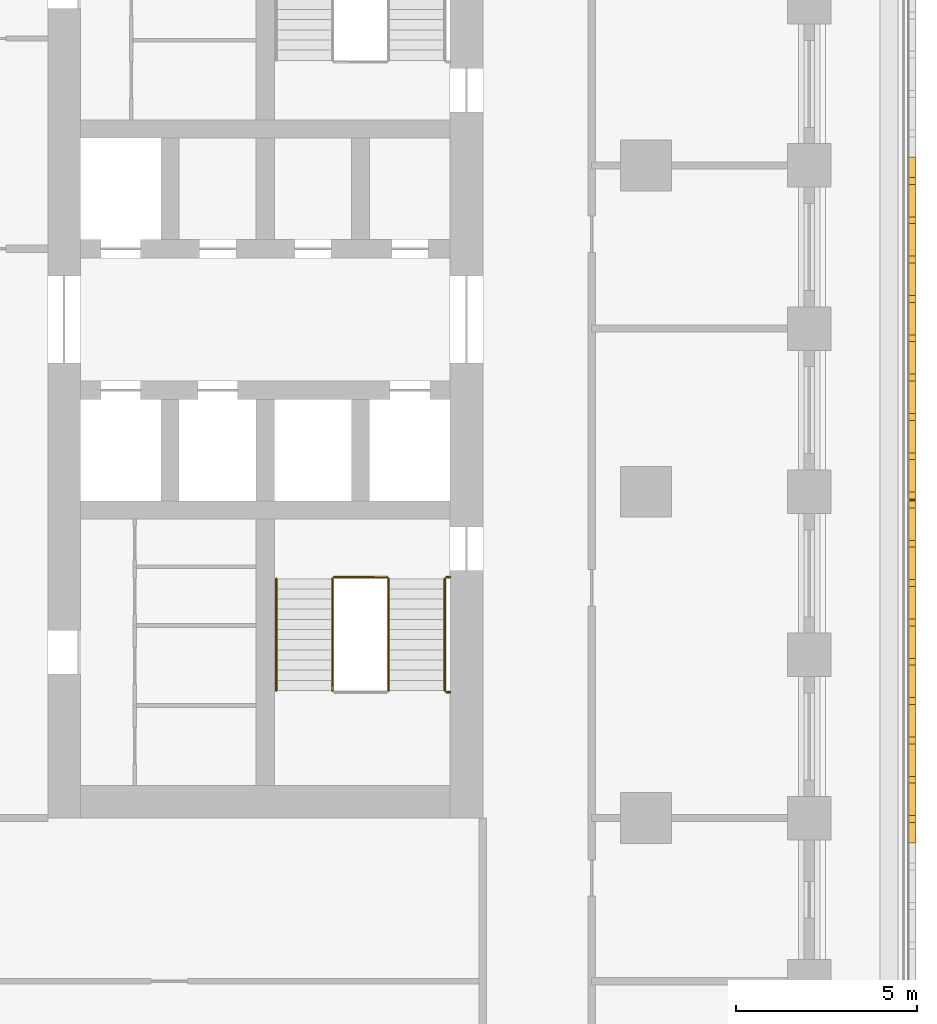
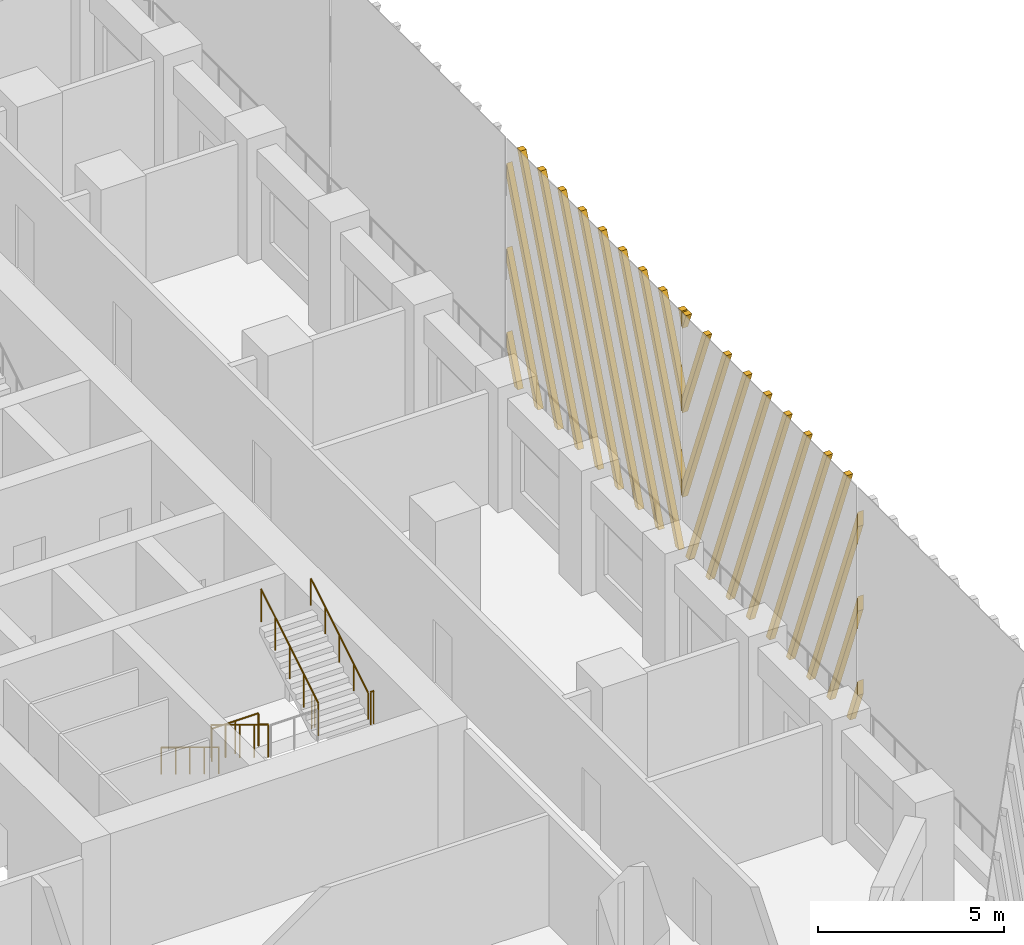
# One storey, part 13 of 19: 7 railings, 2 shading devices.
"""IFC4 building model written with IfcOpenShell, lengths in metres."""

from ifc_helpers import new_model, si_unit, direction, frame, origin, origin_2d, place, context, subcontext, project, spatial, polyline, circle, outline, extrude, source, transform, mapped, material, type_object, element, save


model = new_model("IFC4")

# Units and contexts
model_context = context("Model", 3, precision=1e-05, world=origin(), true_north=direction((0.0, 1.0)))
body_context = subcontext(model_context, "Body", "Model", "MODEL_VIEW")
ifc_project = project(units=[si_unit("LENGTHUNIT", "METRE"), si_unit("AREAUNIT", "SQUARE_METRE"), si_unit("VOLUMEUNIT", "CUBIC_METRE"), si_unit("PLANEANGLEUNIT", "RADIAN"), si_unit("MASSUNIT", "GRAM", prefix="KILO")], contexts=[model_context])

# Site, building, storey
site_placement = place(None, origin())
site = spatial("IfcSite", under=ifc_project, at=site_placement, CompositionType="ELEMENT")
building_placement = place(site_placement, origin())
building = spatial("IfcBuilding", under=site, at=building_placement, Name="Corbel Stack Research Tower", CompositionType="ELEMENT")
storey_placement = place(building_placement, frame((0.0, 0.0, 133.10009765625)))
storey = spatial("IfcBuildingStorey", under=building, at=storey_placement, Name="L30", CompositionType="ELEMENT", Elevation=133.10009765625)

# Railings
ifc_material_1 = material(Name="Steel S355", Category="steel")
railing_type_1 = type_object("IfcRailingType", Name="Stair guard 1100", PredefinedType="GUARDRAIL", material=ifc_material_1)
railing_1_placement = place(storey_placement, frame((13.85009765625, -2.39990234375, 0.170654296875)))
element("IfcRailing", 1, at=railing_1_placement, inside=storey, type_object=railing_type_1, Name="L30 ST-E1 stair guard 1", PredefinedType="GUARDRAIL", context=body_context, shape_type="SweptSolid", body=[
    extrude(circle(Radius=0.02392578125, at=origin_2d()), frame((0.0, 0.0, 1.076171875), z_axis=(0.0, -0.853666305674, 0.52082035152), x_axis=(1.0, 0.0, 0.0)), (0.0, 0.0, 1.0), 3.608154296875),
    extrude(circle(Radius=0.02099609375, at=origin_2d()), origin(), (0.0, 0.0, 1.0), 1.052001953125),
    extrude(circle(Radius=0.02099609375, at=origin_2d()), frame((0.0, -0.77001953125, 0.4697265625)), (0.0, 0.0, 1.0), 1.052001953125),
    extrude(circle(Radius=0.02099609375, at=origin_2d()), frame((0.0, -1.5400390625, 0.939453125)), (0.0, 0.0, 1.0), 1.052001953125),
    extrude(circle(Radius=0.02099609375, at=origin_2d()), frame((0.0, -2.31005859375, 1.409423828125)), (0.0, 0.0, 1.0), 1.052001953125),
    extrude(circle(Radius=0.02099609375, at=origin_2d()), frame((0.0, -3.080078125, 1.879150390625)), (0.0, 0.0, 1.0), 1.052001953125),
])
railing_2_placement = place(storey_placement, frame((17.0, -5.530029296875, 2.0498046875)))
element("IfcRailing", 2, at=railing_2_placement, inside=storey, type_object=railing_type_1, Name="L30 ST-E1 stair guard 3", PredefinedType="GUARDRAIL", context=body_context, shape_type="SweptSolid", body=[
    extrude(circle(Radius=0.02392578125, at=origin_2d()), frame((0.0, 0.0, 1.076171875), z_axis=(1.0, 0.0, 0.0), x_axis=(0.0, 1.0, 0.0)), (0.0, 0.0, 1.0), 0.10009765625),
    extrude(circle(Radius=0.02099609375, at=origin_2d()), origin(), (0.0, 0.0, 1.0), 1.052001953125),
    extrude(circle(Radius=0.02099609375, at=origin_2d()), frame((0.10009765625, 0.0, 0.0)), (0.0, 0.0, 1.0), 1.052001953125),
])
railing_3_placement = place(storey_placement, frame((15.39990234375, -5.47998046875, 2.220703125)))
element("IfcRailing", 3, at=railing_3_placement, inside=storey, type_object=railing_type_1, Name="L30 ST-E1 stair guard 4", PredefinedType="GUARDRAIL", context=body_context, shape_type="SweptSolid", body=[
    extrude(circle(Radius=0.02392578125, at=origin_2d()), frame((0.0, 0.0, 1.076171875), z_axis=(0.0, 0.853666305674, 0.52082035152), x_axis=(-1.0, 0.0, 0.0)), (0.0, 0.0, 1.0), 3.608154296875),
    extrude(circle(Radius=0.02099609375, at=origin_2d()), origin(), (0.0, 0.0, 1.0), 1.052001953125),
    extrude(circle(Radius=0.02099609375, at=origin_2d()), frame((0.0, 0.77001953125, 0.4697265625)), (0.0, 0.0, 1.0), 1.052001953125),
    extrude(circle(Radius=0.02099609375, at=origin_2d()), frame((0.0, 1.5400390625, 0.939453125)), (0.0, 0.0, 1.0), 1.052001953125),
    extrude(circle(Radius=0.02099609375, at=origin_2d()), frame((0.0, 2.31005859375, 1.409423828125)), (0.0, 0.0, 1.0), 1.052001953125),
    extrude(circle(Radius=0.02099609375, at=origin_2d()), frame((0.0, 3.080078125, 1.879150390625)), (0.0, 0.0, 1.0), 1.052001953125),
])
railing_4_placement = place(storey_placement, frame((13.89990234375, -2.35009765625, 0.0)))
element("IfcRailing", 4, at=railing_4_placement, inside=storey, type_object=railing_type_1, Name="L30 ST-E1 stair guard 5", PredefinedType="GUARDRAIL", context=body_context, shape_type="SweptSolid", body=[
    extrude(circle(Radius=0.02392578125, at=origin_2d()), frame((0.0, 0.0, 1.076171875), z_axis=(1.0, 0.0, 0.0), x_axis=(0.0, 1.0, 0.0)), (0.0, 0.0, 1.0), 1.4501953125),
    extrude(circle(Radius=0.02099609375, at=origin_2d()), origin(), (0.0, 0.0, 1.0), 1.052001953125),
    extrude(circle(Radius=0.02099609375, at=origin_2d()), frame((0.72509765625, 0.0, 0.0)), (0.0, 0.0, 1.0), 1.052001953125),
    extrude(circle(Radius=0.02099609375, at=origin_2d()), frame((1.4501953125, 0.0, 0.0)), (0.0, 0.0, 1.0), 1.052001953125),
])
railing_5_placement = place(storey_placement, frame((17.0, -2.35009765625, 0.0)))
element("IfcRailing", 5, at=railing_5_placement, inside=storey, type_object=railing_type_1, Name="L30 ST-E1 stair guard 6", PredefinedType="GUARDRAIL", context=body_context, shape_type="SweptSolid", body=[
    extrude(circle(Radius=0.02392578125, at=origin_2d()), frame((0.0, 0.0, 1.076171875), z_axis=(1.0, 0.0, 0.0), x_axis=(0.0, 1.0, 0.0)), (0.0, 0.0, 1.0), 0.10009765625),
    extrude(circle(Radius=0.02099609375, at=origin_2d()), origin(), (0.0, 0.0, 1.0), 1.052001953125),
    extrude(circle(Radius=0.02099609375, at=origin_2d()), frame((0.10009765625, 0.0, 0.0)), (0.0, 0.0, 1.0), 1.052001953125),
])
ifc_material_2 = material(Name="Steel S355", Category="steel")
railing_type_2 = type_object("IfcRailingType", Name="Stair handrail 900", PredefinedType="HANDRAIL", material=ifc_material_2)
railing_6_placement = place(storey_placement, frame((12.300048828125, -2.39990234375, 0.170654296875)))
element("IfcRailing", 6, at=railing_6_placement, inside=storey, type_object=railing_type_2, Name="L30 ST-E1 stair handrail 1", PredefinedType="HANDRAIL", context=body_context, shape_type="SweptSolid", body=[
    extrude(circle(Radius=0.02392578125, at=origin_2d()), frame((0.0, 0.0, 0.8759765625), z_axis=(0.0, -0.853666305674, 0.52082035152), x_axis=(1.0, 0.0, 0.0)), (0.0, 0.0, 1.0), 3.608154296875),
    extrude(circle(Radius=0.02099609375, at=origin_2d()), origin(), (0.0, 0.0, 1.0), 0.851806640625),
    extrude(circle(Radius=0.02099609375, at=origin_2d()), frame((0.0, -0.77001953125, 0.4697265625)), (0.0, 0.0, 1.0), 0.851806640625),
    extrude(circle(Radius=0.02099609375, at=origin_2d()), frame((0.0, -1.5400390625, 0.939453125)), (0.0, 0.0, 1.0), 0.851806640625),
    extrude(circle(Radius=0.02099609375, at=origin_2d()), frame((0.0, -2.31005859375, 1.409423828125)), (0.0, 0.0, 1.0), 0.851806640625),
    extrude(circle(Radius=0.02099609375, at=origin_2d()), frame((0.0, -3.080078125, 1.879150390625)), (0.0, 0.0, 1.0), 0.851806640625),
])
railing_7_placement = place(storey_placement, frame((16.949951171875, -5.47998046875, 2.220703125)))
element("IfcRailing", 7, at=railing_7_placement, inside=storey, type_object=railing_type_2, Name="L30 ST-E1 stair handrail 2", PredefinedType="HANDRAIL", context=body_context, shape_type="SweptSolid", body=[
    extrude(circle(Radius=0.02392578125, at=origin_2d()), frame((0.0, 0.0, 0.8759765625), z_axis=(0.0, 0.853666305674, 0.52082035152), x_axis=(-1.0, 0.0, 0.0)), (0.0, 0.0, 1.0), 3.608154296875),
    extrude(circle(Radius=0.02099609375, at=origin_2d()), origin(), (0.0, 0.0, 1.0), 0.851806640625),
    extrude(circle(Radius=0.02099609375, at=origin_2d()), frame((0.0, 0.77001953125, 0.4697265625)), (0.0, 0.0, 1.0), 0.851806640625),
    extrude(circle(Radius=0.02099609375, at=origin_2d()), frame((0.0, 1.5400390625, 0.939453125)), (0.0, 0.0, 1.0), 0.851806640625),
    extrude(circle(Radius=0.02099609375, at=origin_2d()), frame((0.0, 2.31005859375, 1.409423828125)), (0.0, 0.0, 1.0), 0.851806640625),
    extrude(circle(Radius=0.02099609375, at=origin_2d()), frame((0.0, 3.080078125, 1.879150390625)), (0.0, 0.0, 1.0), 0.851806640625),
])

# Shading devices
ifc_material_3 = material(Name="Precast terracotta", Category="masonry")
shading_device_type = type_object("IfcShadingDeviceType", Name="Terracotta screen panel", PredefinedType="USERDEFINED", material=ifc_material_3)
shared_shape_1 = source(origin(), body_context, "Body", "SweptSolid", [
    extrude(outline(polyline([(0.217041015625, 7.949951171875), (0.027099609375, 7.949951171875), (0.0, 7.880859375), (0.0, 7.394287109375), (0.217041015625, 7.949951171875)])), frame((0.0, 0.0, 0.0), z_axis=(0.0, -1.0, 0.0), x_axis=(1.0, 0.0, 0.0)), (0.0, 0.0, 1.0), 0.179931640625),
    extrude(outline(polyline([(1.3017578125, 7.949951171875), (1.11181640625, 7.949951171875), (0.0, 5.103515625), (0.0, 4.616943359375), (1.3017578125, 7.949951171875)])), frame((0.0, 0.0, 0.0), z_axis=(0.0, -1.0, 0.0), x_axis=(1.0, 0.0, 0.0)), (0.0, 0.0, 1.0), 0.179931640625),
    extrude(outline(polyline([(2.386474609375, 7.949951171875), (2.1962890625, 7.949951171875), (0.0, 2.326171875), (0.0, 1.839599609375), (2.386474609375, 7.949951171875)])), frame((0.0, 0.0, 0.0), z_axis=(0.0, -1.0, 0.0), x_axis=(1.0, 0.0, 0.0)), (0.0, 0.0, 1.0), 0.179931640625),
    extrude(outline(polyline([(0.3662109375, 0.0), (3.470947265625, 7.949951171875), (3.281005859375, 7.949951171875), (0.17626953125, 0.0), (0.3662109375, 0.0)])), frame((0.0, 0.0, 0.0), z_axis=(0.0, -1.0, 0.0), x_axis=(1.0, 0.0, 0.0)), (0.0, 0.0, 1.0), 0.179931640625),
    extrude(outline(polyline([(1.45068359375, 0.0), (4.5556640625, 7.949951171875), (4.36572265625, 7.949951171875), (1.2607421875, 0.0), (1.45068359375, 0.0)])), frame((0.0, 0.0, 0.0), z_axis=(0.0, -1.0, 0.0), x_axis=(1.0, 0.0, 0.0)), (0.0, 0.0, 1.0), 0.179931640625),
    extrude(outline(polyline([(2.535400390625, 0.0), (5.640380859375, 7.949951171875), (5.4501953125, 7.949951171875), (2.345458984375, 0.0), (2.535400390625, 0.0)])), frame((0.0, 0.0, 0.0), z_axis=(0.0, -1.0, 0.0), x_axis=(1.0, 0.0, 0.0)), (0.0, 0.0, 1.0), 0.179931640625),
    extrude(outline(polyline([(3.6201171875, 0.0), (6.72509765625, 7.949951171875), (6.534912109375, 7.949951171875), (3.43017578125, 0.0), (3.6201171875, 0.0)])), frame((0.0, 0.0, 0.0), z_axis=(0.0, -1.0, 0.0), x_axis=(1.0, 0.0, 0.0)), (0.0, 0.0, 1.0), 0.179931640625),
    extrude(outline(polyline([(4.704833984375, 0.0), (7.809814453125, 7.949951171875), (7.61962890625, 7.949951171875), (4.514892578125, 0.0), (4.704833984375, 0.0)])), frame((0.0, 0.0, 0.0), z_axis=(0.0, -1.0, 0.0), x_axis=(1.0, 0.0, 0.0)), (0.0, 0.0, 1.0), 0.179931640625),
    extrude(outline(polyline([(5.78955078125, 0.0), (8.894287109375, 7.949951171875), (8.704345703125, 7.949951171875), (5.599609375, 0.0), (5.78955078125, 0.0)])), frame((0.0, 0.0, 0.0), z_axis=(0.0, -1.0, 0.0), x_axis=(1.0, 0.0, 0.0)), (0.0, 0.0, 1.0), 0.179931640625),
    extrude(outline(polyline([(6.874267578125, 0.0), (9.45556640625, 6.60986328125), (9.45556640625, 7.096435546875), (6.68408203125, 0.0), (6.874267578125, 0.0)])), frame((0.0, 0.0, 0.0), z_axis=(0.0, -1.0, 0.0), x_axis=(1.0, 0.0, 0.0)), (0.0, 0.0, 1.0), 0.179931640625),
    extrude(outline(polyline([(7.958740234375, 0.0), (9.45556640625, 3.83251953125), (9.45556640625, 4.319091796875), (7.768798828125, 0.0), (7.958740234375, 0.0)])), frame((0.0, 0.0, 0.0), z_axis=(0.0, -1.0, 0.0), x_axis=(1.0, 0.0, 0.0)), (0.0, 0.0, 1.0), 0.179931640625),
    extrude(outline(polyline([(9.04345703125, 0.0), (9.45556640625, 1.055419921875), (9.45556640625, 1.541748046875), (8.853515625, 0.0), (9.04345703125, 0.0)])), frame((0.0, 0.0, 0.0), z_axis=(0.0, -1.0, 0.0), x_axis=(1.0, 0.0, 0.0)), (0.0, 0.0, 1.0), 0.179931640625),
])
shading_device_1_placement = place(storey_placement, frame((29.75, -0.227783203125, 0.0), z_axis=(0.0, 0.0, 1.0), x_axis=(0.0, 1.0, 0.0)))
element("IfcShadingDevice", 8, at=shading_device_1_placement, inside=storey, type_object=shading_device_type, Name="Terracotta screen L30 E3", ObjectType="SCREEN", PredefinedType="USERDEFINED", context=body_context, shape_type="MappedRepresentation", body=[
    mapped(shared_shape_1, transform((0.0, 0.0, 0.0))),
])
shared_shape_2 = source(origin(), body_context, "Body", "SweptSolid", [
    extrude(outline(polyline([(0.60205078125, 0.0), (0.0, 1.541748046875), (0.0, 1.055419921875), (0.412109375, 0.0), (0.60205078125, 0.0)])), frame((0.0, 0.0, 0.0), z_axis=(0.0, -1.0, 0.0), x_axis=(1.0, 0.0, 0.0)), (0.0, 0.0, 1.0), 0.179931640625),
    extrude(outline(polyline([(1.686767578125, 0.0), (0.0, 4.319091796875), (0.0, 3.83251953125), (1.496826171875, 0.0), (1.686767578125, 0.0)])), frame((0.0, 0.0, 0.0), z_axis=(0.0, -1.0, 0.0), x_axis=(1.0, 0.0, 0.0)), (0.0, 0.0, 1.0), 0.179931640625),
    extrude(outline(polyline([(2.771484375, 0.0), (0.0, 7.096435546875), (0.0, 6.60986328125), (2.58154296875, 0.0), (2.771484375, 0.0)])), frame((0.0, 0.0, 0.0), z_axis=(0.0, -1.0, 0.0), x_axis=(1.0, 0.0, 0.0)), (0.0, 0.0, 1.0), 0.179931640625),
    extrude(outline(polyline([(3.856201171875, 0.0), (0.751220703125, 7.949951171875), (0.561279296875, 7.949951171875), (3.666015625, 0.0), (3.856201171875, 0.0)])), frame((0.0, 0.0, 0.0), z_axis=(0.0, -1.0, 0.0), x_axis=(1.0, 0.0, 0.0)), (0.0, 0.0, 1.0), 0.179931640625),
    extrude(outline(polyline([(4.94091796875, 0.0), (1.8359375, 7.949951171875), (1.64599609375, 7.949951171875), (4.750732421875, 0.0), (4.94091796875, 0.0)])), frame((0.0, 0.0, 0.0), z_axis=(0.0, -1.0, 0.0), x_axis=(1.0, 0.0, 0.0)), (0.0, 0.0, 1.0), 0.179931640625),
    extrude(outline(polyline([(6.025390625, 0.0), (2.920654296875, 7.949951171875), (2.730712890625, 7.949951171875), (5.83544921875, 0.0), (6.025390625, 0.0)])), frame((0.0, 0.0, 0.0), z_axis=(0.0, -1.0, 0.0), x_axis=(1.0, 0.0, 0.0)), (0.0, 0.0, 1.0), 0.179931640625),
    extrude(outline(polyline([(7.110107421875, 0.0), (4.00537109375, 7.949951171875), (3.815185546875, 7.949951171875), (6.920166015625, 0.0), (7.110107421875, 0.0)])), frame((0.0, 0.0, 0.0), z_axis=(0.0, -1.0, 0.0), x_axis=(1.0, 0.0, 0.0)), (0.0, 0.0, 1.0), 0.179931640625),
    extrude(outline(polyline([(8.19482421875, 0.0), (5.090087890625, 7.949951171875), (4.89990234375, 7.949951171875), (8.0048828125, 0.0), (8.19482421875, 0.0)])), frame((0.0, 0.0, 0.0), z_axis=(0.0, -1.0, 0.0), x_axis=(1.0, 0.0, 0.0)), (0.0, 0.0, 1.0), 0.179931640625),
    extrude(outline(polyline([(9.279541015625, 0.0), (6.174560546875, 7.949951171875), (5.984619140625, 7.949951171875), (9.089599609375, 0.0), (9.279541015625, 0.0)])), frame((0.0, 0.0, 0.0), z_axis=(0.0, -1.0, 0.0), x_axis=(1.0, 0.0, 0.0)), (0.0, 0.0, 1.0), 0.179931640625),
    extrude(outline(polyline([(7.25927734375, 7.949951171875), (7.0693359375, 7.949951171875), (9.45556640625, 1.839599609375), (9.45556640625, 2.326171875), (7.25927734375, 7.949951171875)])), frame((0.0, 0.0, 0.0), z_axis=(0.0, -1.0, 0.0), x_axis=(1.0, 0.0, 0.0)), (0.0, 0.0, 1.0), 0.179931640625),
    extrude(outline(polyline([(8.343994140625, 7.949951171875), (8.15380859375, 7.949951171875), (9.45556640625, 4.616943359375), (9.45556640625, 5.103515625), (8.343994140625, 7.949951171875)])), frame((0.0, 0.0, 0.0), z_axis=(0.0, -1.0, 0.0), x_axis=(1.0, 0.0, 0.0)), (0.0, 0.0, 1.0), 0.179931640625),
    extrude(outline(polyline([(9.4287109375, 7.949951171875), (9.238525390625, 7.949951171875), (9.45556640625, 7.394287109375), (9.45556640625, 7.880859375), (9.4287109375, 7.949951171875)])), frame((0.0, 0.0, 0.0), z_axis=(0.0, -1.0, 0.0), x_axis=(1.0, 0.0, 0.0)), (0.0, 0.0, 1.0), 0.179931640625),
])
shading_device_2_placement = place(storey_placement, frame((29.75, -9.68359375, 0.0), z_axis=(0.0, 0.0, 1.0), x_axis=(0.0, 1.0, 0.0)))
element("IfcShadingDevice", 9, at=shading_device_2_placement, inside=storey, type_object=shading_device_type, Name="Terracotta screen L30 E2", ObjectType="SCREEN", PredefinedType="USERDEFINED", context=body_context, shape_type="MappedRepresentation", body=[
    mapped(shared_shape_2, transform((0.0, 0.0, 0.0))),
])

save(model, "model.ifc")
